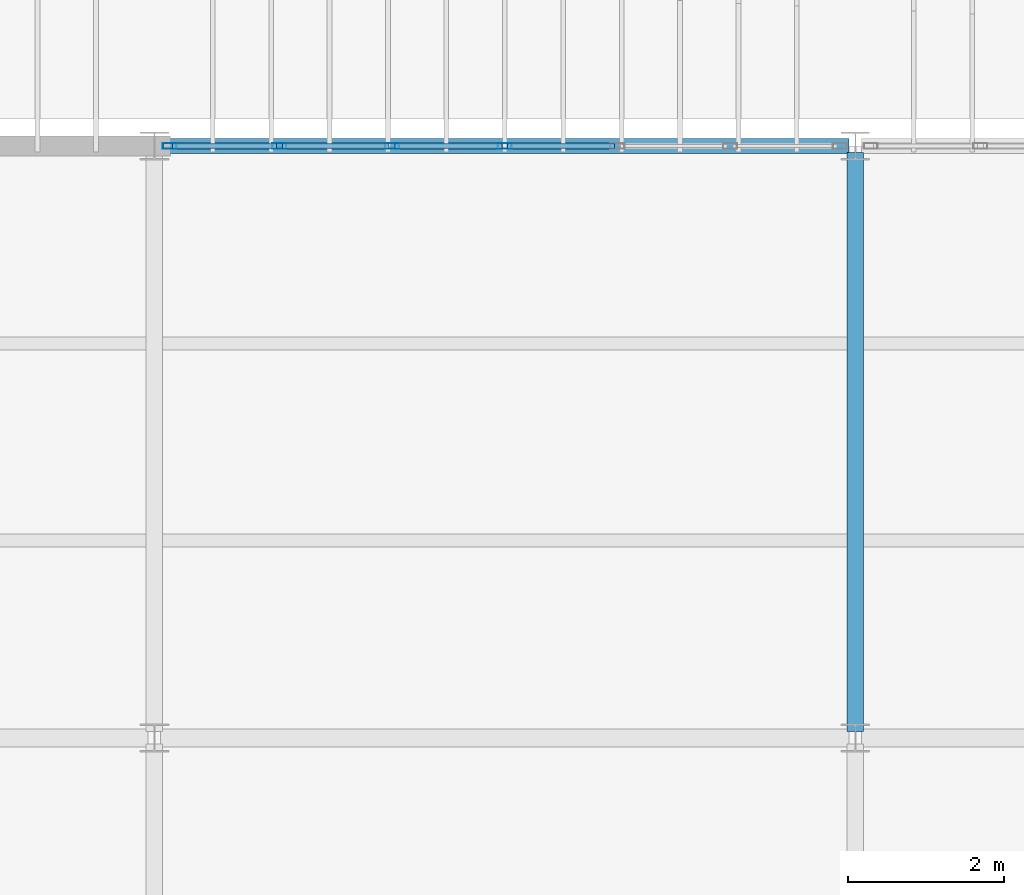
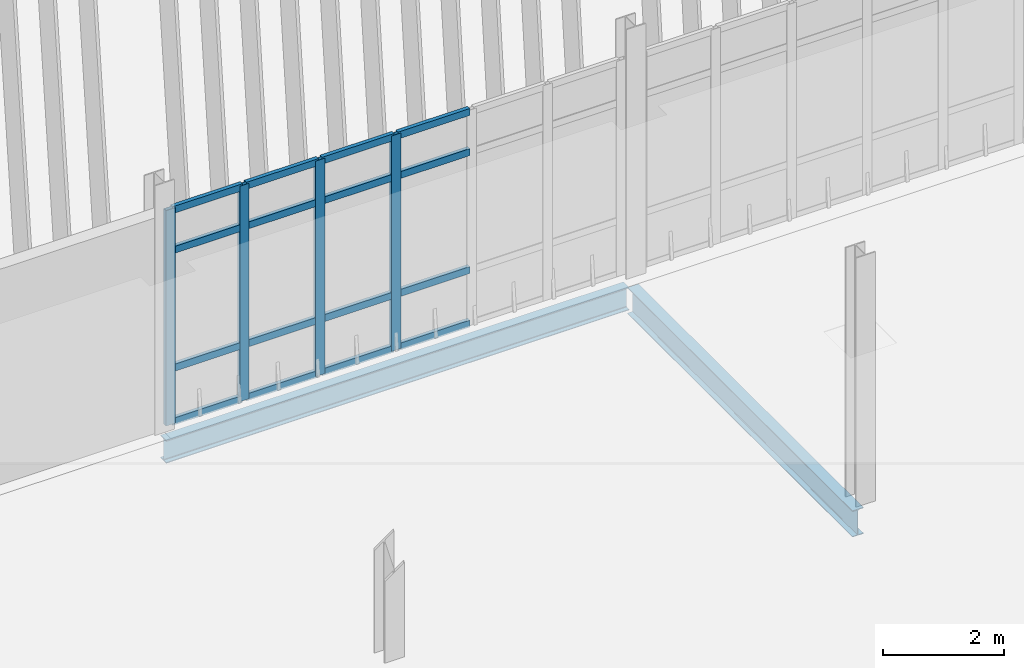
# One storey, part 47 of 161: 20 members, 2 beams, 1 element without a shape of its own.
"""IFC4 building model written with IfcOpenShell, lengths in metres."""

import ifcopenshell
import ifcopenshell.guid

model = None  # the IFC model being written
_history = None  # IfcOwnerHistory: only IFC2X3 demands one
_inside = {}  # id of a spatial element -> (the spatial element, [elements in it])
_under = {}  # id of a project, library or spatial element -> (it, [spatial elements below it])
_declared = {}  # id of a project -> (the project, [libraries it declares])
_typed = {}  # id of a type object -> (the type object, [elements of that type])
_made_of = {}  # id of a material, layer set ... -> (it, [elements and type objects made of it])


def new_model(schema):
    """Start an empty IFC model of exactly this schema.

    Asked for "IFC4X3", IfcOpenShell would pick the latest addendum, in which some entities
    have other attributes; the version numbers below select the first issue.
    IFC2X3 requires an IfcOwnerHistory on every rooted entity: one is made here for all.
    """
    global model, _history
    if schema == "IFC4X3":
        model = ifcopenshell.file(schema_version=(4, 3, 0, 0))
    else:
        model = ifcopenshell.file(schema=schema)
    _inside.clear()
    _under.clear()
    _declared.clear()
    _typed.clear()
    _made_of.clear()
    _history = None
    if model.schema == "IFC2X3":
        org = make("IfcOrganization", Name="unknown")
        user = make(
            "IfcPersonAndOrganization",
            ThePerson=make("IfcPerson", FamilyName="unknown"),
            TheOrganization=org,
        )
        app = make(
            "IfcApplication",
            ApplicationDeveloper=org,
            Version="unknown",
            ApplicationFullName="unknown",
            ApplicationIdentifier="unknown",
        )
        _history = make(
            "IfcOwnerHistory",
            OwningUser=user,
            OwningApplication=app,
            ChangeAction="ADDED",
            CreationDate=0,
        )
    return model


def make(cls, **values):
    """One entity of the class cls with the attributes given. An attribute that is None is left unset."""
    return model.create_entity(
        cls, **{name: value for name, value in values.items() if value is not None}
    )


def rooted(cls, **values):
    """An entity with a GlobalId (a new one), such as an element, a storey or a relation."""
    return make(cls, GlobalId=ifcopenshell.guid.new(), OwnerHistory=_history, **values)


def si_unit(unit_type, name, prefix=None):
    """IfcSIUnit, for example si_unit("LENGTHUNIT", "METRE", prefix="MILLI")."""
    return make("IfcSIUnit", UnitType=unit_type, Prefix=prefix, Name=name)


def assignment(units):
    """IfcUnitAssignment: the units of a project."""
    return None if units is None else make("IfcUnitAssignment", Units=units)


def point(xyz):
    """IfcCartesianPoint."""
    return None if xyz is None else make("IfcCartesianPoint", Coordinates=xyz)


def direction(xyz):
    """IfcDirection."""
    return None if xyz is None else make("IfcDirection", DirectionRatios=xyz)


def frame(location, z_axis=None, x_axis=None):
    """IfcAxis2Placement3D, a coordinate frame: its origin and axes. An axis left out is left unset."""
    return make(
        "IfcAxis2Placement3D",
        Location=point(location),
        Axis=direction(z_axis),
        RefDirection=direction(x_axis),
    )


def frame_2d(location, x_axis=None):
    """IfcAxis2Placement2D, a coordinate frame in the plane: its origin and x axis."""
    return make(
        "IfcAxis2Placement2D", Location=point(location), RefDirection=direction(x_axis)
    )


def origin():
    """The frame at (0, 0, 0) with its axes left unset."""
    return frame((0.0, 0.0, 0.0))


def origin_2d():
    """The frame at (0, 0) in the plane with its x axis left unset."""
    return frame_2d((0.0, 0.0))


def place(relative_to, where):
    """IfcLocalPlacement: puts the frame where relative to a parent placement (None: the world)."""
    return make(
        "IfcLocalPlacement", PlacementRelTo=relative_to, RelativePlacement=where
    )


def context(
    kind, dimensions, precision=None, world=None, true_north=None, identifier=None
):
    """IfcGeometricRepresentationContext, for example the 3D "Model" context."""
    return make(
        "IfcGeometricRepresentationContext",
        ContextIdentifier=identifier,
        ContextType=kind,
        CoordinateSpaceDimension=dimensions,
        Precision=precision,
        WorldCoordinateSystem=world,
        TrueNorth=true_north,
    )


def subcontext(parent, identifier, kind, view, scale=None):
    """IfcGeometricRepresentationSubContext, for example "Body" below "Model"."""
    return make(
        "IfcGeometricRepresentationSubContext",
        ContextIdentifier=identifier,
        ContextType=kind,
        ParentContext=parent,
        TargetScale=scale,
        TargetView=view,
    )


def project(units=None, contexts=None):
    """IfcProject with its units and contexts."""
    return rooted(
        "IfcProject",
        Name="project",
        RepresentationContexts=contexts,
        UnitsInContext=assignment(units),
    )


def spatial(cls, under=None, at=None, **own):
    """A site, building, storey or space (cls), placed at a placement, below another one or the project."""
    s = rooted(cls, ObjectPlacement=at, **own)
    if under is not None:
        _under.setdefault(under.id(), (under, []))[1].append(s)
    return s


def profile(cls, at=None, kind="AREA", **sizes):
    """A parametric profile (cls). Its sizes go by their IFC names, for example OverallWidth=200.0."""
    return make(cls, ProfileType=kind, Position=at, **sizes)


def hollow_rectangle(**sizes):
    """IfcRectangleHollowProfileDef."""
    return profile("IfcRectangleHollowProfileDef", **sizes)


def i_section(**sizes):
    """IfcIShapeProfileDef."""
    return profile("IfcIShapeProfileDef", **sizes)


def extrude(swept, where, along, depth):
    """IfcExtrudedAreaSolid: the profile swept, set in the frame where, extruded along a direction by depth."""
    return make(
        "IfcExtrudedAreaSolid",
        SweptArea=swept,
        Position=where,
        ExtrudedDirection=direction(along),
        Depth=depth,
    )


def shape(context_of_items, identifier, shape_type, items):
    """IfcShapeRepresentation: the items that make up one representation, for example the "Body"."""
    return make(
        "IfcShapeRepresentation",
        ContextOfItems=context_of_items,
        RepresentationIdentifier=identifier,
        RepresentationType=shape_type,
        Items=items,
    )


def material(Name=None, Category=None):
    """IfcMaterial."""
    return make("IfcMaterial", Name=Name, Category=Category)


def material_profile(
    of_material, cross_section, Name=None, Category=None, Priority=None
):
    """IfcMaterialProfile: a cross section and its material."""
    return make(
        "IfcMaterialProfile",
        Name=Name,
        Material=of_material,
        Profile=cross_section,
        Priority=Priority,
        Category=Category,
    )


def profile_set(profiles, Name=None, composite=None):
    """IfcMaterialProfileSet."""
    return make(
        "IfcMaterialProfileSet",
        Name=Name,
        MaterialProfiles=profiles,
        CompositeProfile=composite,
    )


def made_of(thing, what):
    """Note that an element or type object is made of a material, layer set ...; save() writes the relation."""
    if what is not None:
        _made_of.setdefault(what.id(), (what, []))[1].append(thing)
    return thing


def type_object(cls, material=None, **own):
    """A type object (cls), such as IfcWallType, which elements share."""
    return made_of(rooted(cls, **own), material)


def element(
    cls,
    number,
    at=None,
    inside=None,
    cuts=None,
    type_object=None,
    material=None,
    context=None,
    identifier="Body",
    shape_type=None,
    held_by="IfcProductDefinitionShape",
    body=None,
    shapes=None,
    **own,
):
    """One element of the class cls, such as IfcWall. Its Tag is "e" and its number.

    at: its placement. inside: the storey or other place that contains it. cuts: it is an
    opening in that element (IfcRelVoidsElement). A single representation is given by context,
    identifier, shape_type and body (its items); several are given by shapes. held_by: the class
    of the entity that holds the representations. save() writes the other relations.
    """
    e = rooted(cls, Tag="e%d" % number, ObjectPlacement=at, **own)
    if body is not None:
        shapes = [shape(context, identifier, shape_type, body)]
    if shapes is not None:
        e.Representation = make(held_by, Representations=shapes)
    if inside is not None:
        _inside.setdefault(inside.id(), (inside, []))[1].append(e)
    if cuts is not None:
        rooted(
            "IfcRelVoidsElement", RelatingBuildingElement=cuts, RelatedOpeningElement=e
        )
    if type_object is not None:
        _typed.setdefault(type_object.id(), (type_object, []))[1].append(e)
    return made_of(e, material)


def aggregate(whole, parts):
    """IfcRelAggregates: a whole, such as a stair, and the parts it consists of."""
    return rooted("IfcRelAggregates", RelatingObject=whole, RelatedObjects=parts)


def save(model, path):
    """Write the relations noted so far, then the file.

    IfcRelAggregates (storeys below a building ...), IfcRelContainedInSpatialStructure (elements
    in a storey), IfcRelDefinesByType, IfcRelAssociatesMaterial and IfcRelDeclares: one each for
    every whole, place, type object, material and project.
    """
    for whole, parts in _under.values():
        aggregate(whole, parts)
    for where, things in _inside.values():
        rooted(
            "IfcRelContainedInSpatialStructure",
            RelatedElements=things,
            RelatingStructure=where,
        )
    for kind, things in _typed.values():
        rooted("IfcRelDefinesByType", RelatedObjects=things, RelatingType=kind)
    for what, things in _made_of.values():
        rooted("IfcRelAssociatesMaterial", RelatedObjects=things, RelatingMaterial=what)
    for by, libraries in _declared.values():
        rooted("IfcRelDeclares", RelatingContext=by, RelatedDefinitions=libraries)
    model.write(path)


model = new_model("IFC4")

# Units and contexts
model_context = context("Model", 3, precision=1e-05, world=origin(), true_north=direction((0.0, 1.0)))
body_context = subcontext(model_context, "Body", "Model", "MODEL_VIEW")
ifc_project = project(units=[si_unit("LENGTHUNIT", "METRE"), si_unit("AREAUNIT", "SQUARE_METRE"), si_unit("VOLUMEUNIT", "CUBIC_METRE"), si_unit("PLANEANGLEUNIT", "RADIAN"), si_unit("MASSUNIT", "GRAM", prefix="KILO")], contexts=[model_context])

# Site, building, storey
site_placement = place(None, origin())
site = spatial("IfcSite", under=ifc_project, at=site_placement, CompositionType="ELEMENT")
building_placement = place(site_placement, origin())
building = spatial("IfcBuilding", under=site, at=building_placement, Name="Caisbarro Railhouse Central Library", CompositionType="ELEMENT")
storey_placement = place(building_placement, origin())
storey = spatial("IfcBuildingStorey", under=building, at=storey_placement, Name="L00", CompositionType="ELEMENT", Elevation=0.0)

# Beams
ifc_material_1 = material(Name="Steel ASTM A572 Grade 50", Category="steel")
ifc_material_profile_1 = material_profile(ifc_material_1, i_section(OverallWidth=0.208984375, OverallDepth=0.532958984375, WebThickness=0.01025390625, FlangeThickness=0.015625, FilletRadius=0.02001953125, at=origin_2d()), Name="W530X92.0")
ifc_profile_set_1 = profile_set([ifc_material_profile_1], Name="Steel ASTM A572 Grade 50")
beam_type_1 = type_object("IfcBeamType", Name="BM-G06", PredefinedType="BEAM", material=ifc_profile_set_1)
beam_1_placement = place(storey_placement, frame((27.0, 53.280029296875, -0.5166015625), z_axis=(0.0, 1.0, 0.0), x_axis=(-1.0, 0.0, 0.0)))
element("IfcBeam", 1, at=beam_1_placement, inside=storey, type_object=beam_type_1, Name="G06 beam L00 #298", PredefinedType="BEAM", context=body_context, shape_type="SweptSolid", body=[
    extrude(i_section(OverallWidth=0.208984375, OverallDepth=0.532958984375, WebThickness=0.01025390625, FlangeThickness=0.015625, FilletRadius=0.02001953125, at=origin_2d()), origin(), (0.0, 0.0, 1.0), 7.43994140625),
])
ifc_material_profile_2 = material_profile(ifc_material_1, i_section(OverallWidth=0.18994140625, OverallDepth=0.45703125, WebThickness=0.009033203125, FlangeThickness=0.014404296875, FilletRadius=0.01806640625, at=origin_2d()), Name="W460X74.0")
ifc_profile_set_2 = profile_set([ifc_material_profile_2], Name="Steel ASTM A572 Grade 50")
beam_type_2 = type_object("IfcBeamType", Name="BM-SP01", PredefinedType="SPANDREL", material=ifc_profile_set_2)
beam_2_placement = place(storey_placement, frame((18.080078125, 60.800048828125, -0.478515625), z_axis=(1.0, 0.0, 0.0), x_axis=(0.0, 1.0, 0.0)))
element("IfcBeam", 2, at=beam_2_placement, inside=storey, type_object=beam_type_2, Name="SP01 beam L00 #277", PredefinedType="SPANDREL", context=body_context, shape_type="SweptSolid", body=[
    extrude(i_section(OverallWidth=0.18994140625, OverallDepth=0.45703125, WebThickness=0.009033203125, FlangeThickness=0.014404296875, FilletRadius=0.01806640625, at=origin_2d()), origin(), (0.0, 0.0, 1.0), 8.83984375),
])

# Curtain wall, members
ifc_material_2 = material(Name="Anodised architectural aluminium", Category="aluminium")
curtain_wall_type = type_object("IfcCurtainWallType", Name="CW-CW01", PredefinedType="NOTDEFINED", material=ifc_material_2)
curtain_wall_placement = place(storey_placement, origin())
curtain_wall = element("IfcCurtainWall", 3, at=curtain_wall_placement, inside=storey, type_object=curtain_wall_type, Name="CW01 curtain wall L00 #6", PredefinedType="NOTDEFINED")
ifc_material_profile_3 = material_profile(ifc_material_2, hollow_rectangle(XDim=0.074951171875, YDim=0.179931640625, WallThickness=0.00439453125, at=origin_2d()), Name="ALU-MUL-75X180")
ifc_profile_set_3 = profile_set([ifc_material_profile_3], Name="Anodised architectural aluminium")
member_type_1 = type_object("IfcMemberType", Name="CWM-M01", PredefinedType="MULLION", material=ifc_profile_set_3)
member_1_placement = place(storey_placement, frame((18.197509765625, 60.800048828125, 0.0), z_axis=(0.0, 0.0, 1.0), x_axis=(0.0, 1.0, 0.0)))
member_1 = element("IfcMember", 4, at=member_1_placement, type_object=member_type_1, Name="CW01 mullion 1", PredefinedType="MULLION", context=body_context, shape_type="SweptSolid", body=[
    extrude(hollow_rectangle(XDim=0.074951171875, YDim=0.179931640625, WallThickness=0.00439453125, at=origin_2d()), origin(), (0.0, 0.0, 1.0), 4.35009765625),
])
member_2_placement = place(storey_placement, frame((19.606689453125, 60.800048828125, 0.0), z_axis=(0.0, 0.0, 1.0), x_axis=(0.0, 1.0, 0.0)))
member_2 = element("IfcMember", 5, at=member_2_placement, type_object=member_type_1, Name="CW01 mullion 2", PredefinedType="MULLION", context=body_context, shape_type="SweptSolid", body=[
    extrude(hollow_rectangle(XDim=0.074951171875, YDim=0.179931640625, WallThickness=0.00439453125, at=origin_2d()), origin(), (0.0, 0.0, 1.0), 4.35009765625),
])
member_3_placement = place(storey_placement, frame((21.05322265625, 60.800048828125, 0.0), z_axis=(0.0, 0.0, 1.0), x_axis=(0.0, 1.0, 0.0)))
member_3 = element("IfcMember", 6, at=member_3_placement, type_object=member_type_1, Name="CW01 mullion 3", PredefinedType="MULLION", context=body_context, shape_type="SweptSolid", body=[
    extrude(hollow_rectangle(XDim=0.074951171875, YDim=0.179931640625, WallThickness=0.00439453125, at=origin_2d()), origin(), (0.0, 0.0, 1.0), 4.35009765625),
])
member_4_placement = place(storey_placement, frame((22.5, 60.800048828125, 0.0), z_axis=(0.0, 0.0, 1.0), x_axis=(0.0, 1.0, 0.0)))
member_4 = element("IfcMember", 7, at=member_4_placement, type_object=member_type_1, Name="CW01 mullion 4", PredefinedType="MULLION", context=body_context, shape_type="SweptSolid", body=[
    extrude(hollow_rectangle(XDim=0.074951171875, YDim=0.179931640625, WallThickness=0.00439453125, at=origin_2d()), origin(), (0.0, 0.0, 1.0), 4.35009765625),
])
ifc_material_profile_4 = material_profile(ifc_material_2, hollow_rectangle(XDim=0.074951171875, YDim=0.139892578125, WallThickness=0.00390625, at=origin_2d()), Name="ALU-TRN-75X140")
ifc_profile_set_4 = profile_set([ifc_material_profile_4], Name="Anodised architectural aluminium")
member_type_2 = type_object("IfcMemberType", Name="CWT-T01", PredefinedType="USERDEFINED", material=ifc_profile_set_4)
member_5_placement = place(storey_placement, frame((18.235107421875, 60.800048828125, 0.03759765625), z_axis=(1.0, 0.0, 0.0), x_axis=(0.0, 1.0, 0.0)))
member_5 = element("IfcMember", 8, at=member_5_placement, type_object=member_type_2, Name="CW01 transom 1.1", ObjectType="TRANSOM", PredefinedType="USERDEFINED", context=body_context, shape_type="SweptSolid", body=[
    extrude(hollow_rectangle(XDim=0.074951171875, YDim=0.139892578125, WallThickness=0.00390625, at=origin_2d()), origin(), (0.0, 0.0, 1.0), 1.333984375),
])
member_6_placement = place(storey_placement, frame((18.235107421875, 60.800048828125, 1.1201171875), z_axis=(1.0, 0.0, 0.0), x_axis=(0.0, 1.0, 0.0)))
member_6 = element("IfcMember", 9, at=member_6_placement, type_object=member_type_2, Name="CW01 transom 1.2", ObjectType="TRANSOM", PredefinedType="USERDEFINED", context=body_context, shape_type="SweptSolid", body=[
    extrude(hollow_rectangle(XDim=0.074951171875, YDim=0.139892578125, WallThickness=0.00390625, at=origin_2d()), origin(), (0.0, 0.0, 1.0), 1.333984375),
])
member_7_placement = place(storey_placement, frame((18.235107421875, 60.800048828125, 3.5), z_axis=(1.0, 0.0, 0.0), x_axis=(0.0, 1.0, 0.0)))
member_7 = element("IfcMember", 10, at=member_7_placement, type_object=member_type_2, Name="CW01 transom 1.3", ObjectType="TRANSOM", PredefinedType="USERDEFINED", context=body_context, shape_type="SweptSolid", body=[
    extrude(hollow_rectangle(XDim=0.074951171875, YDim=0.139892578125, WallThickness=0.00390625, at=origin_2d()), origin(), (0.0, 0.0, 1.0), 1.333984375),
])
member_8_placement = place(storey_placement, frame((18.235107421875, 60.800048828125, 4.3125), z_axis=(1.0, 0.0, 0.0), x_axis=(0.0, 1.0, 0.0)))
member_8 = element("IfcMember", 11, at=member_8_placement, type_object=member_type_2, Name="CW01 transom 1.4", ObjectType="TRANSOM", PredefinedType="USERDEFINED", context=body_context, shape_type="SweptSolid", body=[
    extrude(hollow_rectangle(XDim=0.074951171875, YDim=0.139892578125, WallThickness=0.00390625, at=origin_2d()), origin(), (0.0, 0.0, 1.0), 1.333984375),
])
member_9_placement = place(storey_placement, frame((19.644287109375, 60.800048828125, 0.03759765625), z_axis=(1.0, 0.0, 0.0), x_axis=(0.0, 1.0, 0.0)))
member_9 = element("IfcMember", 12, at=member_9_placement, type_object=member_type_2, Name="CW01 transom 2.1", ObjectType="TRANSOM", PredefinedType="USERDEFINED", context=body_context, shape_type="SweptSolid", body=[
    extrude(hollow_rectangle(XDim=0.074951171875, YDim=0.139892578125, WallThickness=0.00390625, at=origin_2d()), origin(), (0.0, 0.0, 1.0), 1.37158203125),
])
member_10_placement = place(storey_placement, frame((19.644287109375, 60.800048828125, 1.1201171875), z_axis=(1.0, 0.0, 0.0), x_axis=(0.0, 1.0, 0.0)))
member_10 = element("IfcMember", 13, at=member_10_placement, type_object=member_type_2, Name="CW01 transom 2.2", ObjectType="TRANSOM", PredefinedType="USERDEFINED", context=body_context, shape_type="SweptSolid", body=[
    extrude(hollow_rectangle(XDim=0.074951171875, YDim=0.139892578125, WallThickness=0.00390625, at=origin_2d()), origin(), (0.0, 0.0, 1.0), 1.37158203125),
])
member_11_placement = place(storey_placement, frame((19.644287109375, 60.800048828125, 3.5), z_axis=(1.0, 0.0, 0.0), x_axis=(0.0, 1.0, 0.0)))
member_11 = element("IfcMember", 14, at=member_11_placement, type_object=member_type_2, Name="CW01 transom 2.3", ObjectType="TRANSOM", PredefinedType="USERDEFINED", context=body_context, shape_type="SweptSolid", body=[
    extrude(hollow_rectangle(XDim=0.074951171875, YDim=0.139892578125, WallThickness=0.00390625, at=origin_2d()), origin(), (0.0, 0.0, 1.0), 1.37158203125),
])
member_12_placement = place(storey_placement, frame((19.644287109375, 60.800048828125, 4.3125), z_axis=(1.0, 0.0, 0.0), x_axis=(0.0, 1.0, 0.0)))
member_12 = element("IfcMember", 15, at=member_12_placement, type_object=member_type_2, Name="CW01 transom 2.4", ObjectType="TRANSOM", PredefinedType="USERDEFINED", context=body_context, shape_type="SweptSolid", body=[
    extrude(hollow_rectangle(XDim=0.074951171875, YDim=0.139892578125, WallThickness=0.00390625, at=origin_2d()), origin(), (0.0, 0.0, 1.0), 1.37158203125),
])
member_13_placement = place(storey_placement, frame((21.0908203125, 60.800048828125, 0.03759765625), z_axis=(1.0, 0.0, 0.0), x_axis=(0.0, 1.0, 0.0)))
member_13 = element("IfcMember", 16, at=member_13_placement, type_object=member_type_2, Name="CW01 transom 3.1", ObjectType="TRANSOM", PredefinedType="USERDEFINED", context=body_context, shape_type="SweptSolid", body=[
    extrude(hollow_rectangle(XDim=0.074951171875, YDim=0.139892578125, WallThickness=0.00390625, at=origin_2d()), origin(), (0.0, 0.0, 1.0), 1.37158203125),
])
member_14_placement = place(storey_placement, frame((21.0908203125, 60.800048828125, 1.1201171875), z_axis=(1.0, 0.0, 0.0), x_axis=(0.0, 1.0, 0.0)))
member_14 = element("IfcMember", 17, at=member_14_placement, type_object=member_type_2, Name="CW01 transom 3.2", ObjectType="TRANSOM", PredefinedType="USERDEFINED", context=body_context, shape_type="SweptSolid", body=[
    extrude(hollow_rectangle(XDim=0.074951171875, YDim=0.139892578125, WallThickness=0.00390625, at=origin_2d()), origin(), (0.0, 0.0, 1.0), 1.37158203125),
])
member_15_placement = place(storey_placement, frame((21.0908203125, 60.800048828125, 3.5), z_axis=(1.0, 0.0, 0.0), x_axis=(0.0, 1.0, 0.0)))
member_15 = element("IfcMember", 18, at=member_15_placement, type_object=member_type_2, Name="CW01 transom 3.3", ObjectType="TRANSOM", PredefinedType="USERDEFINED", context=body_context, shape_type="SweptSolid", body=[
    extrude(hollow_rectangle(XDim=0.074951171875, YDim=0.139892578125, WallThickness=0.00390625, at=origin_2d()), origin(), (0.0, 0.0, 1.0), 1.37158203125),
])
member_16_placement = place(storey_placement, frame((21.0908203125, 60.800048828125, 4.3125), z_axis=(1.0, 0.0, 0.0), x_axis=(0.0, 1.0, 0.0)))
member_16 = element("IfcMember", 19, at=member_16_placement, type_object=member_type_2, Name="CW01 transom 3.4", ObjectType="TRANSOM", PredefinedType="USERDEFINED", context=body_context, shape_type="SweptSolid", body=[
    extrude(hollow_rectangle(XDim=0.074951171875, YDim=0.139892578125, WallThickness=0.00390625, at=origin_2d()), origin(), (0.0, 0.0, 1.0), 1.37158203125),
])
member_17_placement = place(storey_placement, frame((22.53759765625, 60.800048828125, 0.03759765625), z_axis=(1.0, 0.0, 0.0), x_axis=(0.0, 1.0, 0.0)))
member_17 = element("IfcMember", 20, at=member_17_placement, type_object=member_type_2, Name="CW01 transom 4.1", ObjectType="TRANSOM", PredefinedType="USERDEFINED", context=body_context, shape_type="SweptSolid", body=[
    extrude(hollow_rectangle(XDim=0.074951171875, YDim=0.139892578125, WallThickness=0.00390625, at=origin_2d()), origin(), (0.0, 0.0, 1.0), 1.37158203125),
])
member_18_placement = place(storey_placement, frame((22.53759765625, 60.800048828125, 1.1201171875), z_axis=(1.0, 0.0, 0.0), x_axis=(0.0, 1.0, 0.0)))
member_18 = element("IfcMember", 21, at=member_18_placement, type_object=member_type_2, Name="CW01 transom 4.2", ObjectType="TRANSOM", PredefinedType="USERDEFINED", context=body_context, shape_type="SweptSolid", body=[
    extrude(hollow_rectangle(XDim=0.074951171875, YDim=0.139892578125, WallThickness=0.00390625, at=origin_2d()), origin(), (0.0, 0.0, 1.0), 1.37158203125),
])
member_19_placement = place(storey_placement, frame((22.53759765625, 60.800048828125, 3.5), z_axis=(1.0, 0.0, 0.0), x_axis=(0.0, 1.0, 0.0)))
member_19 = element("IfcMember", 22, at=member_19_placement, type_object=member_type_2, Name="CW01 transom 4.3", ObjectType="TRANSOM", PredefinedType="USERDEFINED", context=body_context, shape_type="SweptSolid", body=[
    extrude(hollow_rectangle(XDim=0.074951171875, YDim=0.139892578125, WallThickness=0.00390625, at=origin_2d()), origin(), (0.0, 0.0, 1.0), 1.37158203125),
])
member_20_placement = place(storey_placement, frame((22.53759765625, 60.800048828125, 4.3125), z_axis=(1.0, 0.0, 0.0), x_axis=(0.0, 1.0, 0.0)))
member_20 = element("IfcMember", 23, at=member_20_placement, type_object=member_type_2, Name="CW01 transom 4.4", ObjectType="TRANSOM", PredefinedType="USERDEFINED", context=body_context, shape_type="SweptSolid", body=[
    extrude(hollow_rectangle(XDim=0.074951171875, YDim=0.139892578125, WallThickness=0.00390625, at=origin_2d()), origin(), (0.0, 0.0, 1.0), 1.37158203125),
])
aggregate(curtain_wall, [member_1, member_2, member_3, member_4, member_5, member_6, member_7, member_8, member_9, member_10, member_11, member_12, member_13, member_14, member_15, member_16, member_17, member_18, member_19, member_20])

save(model, "model.ifc")
